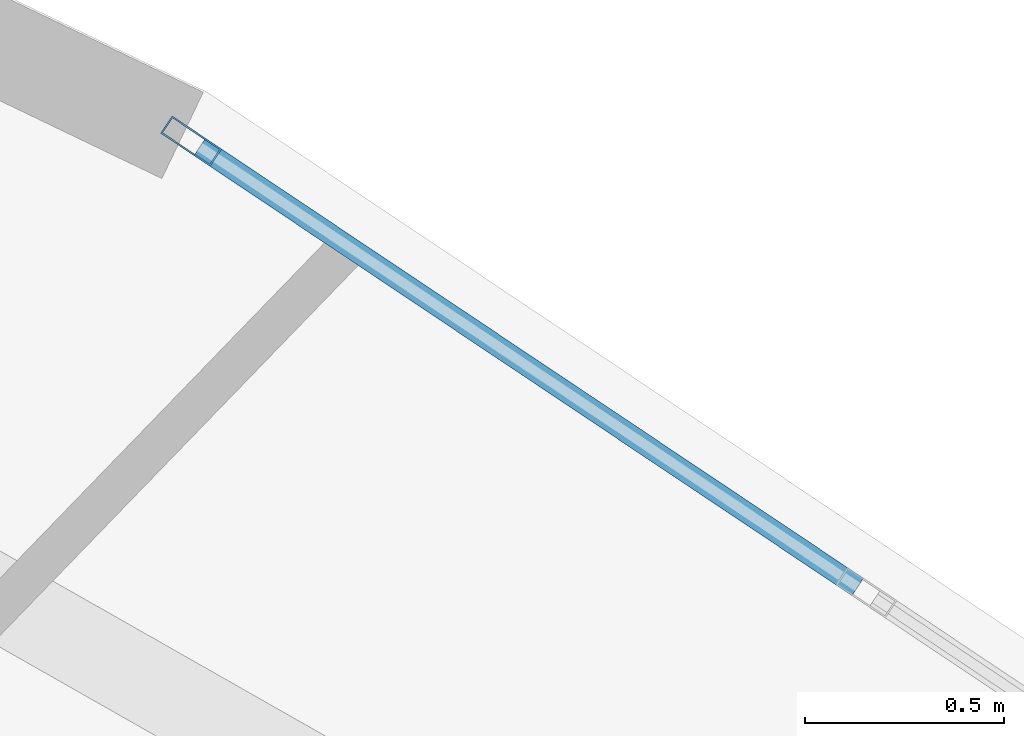
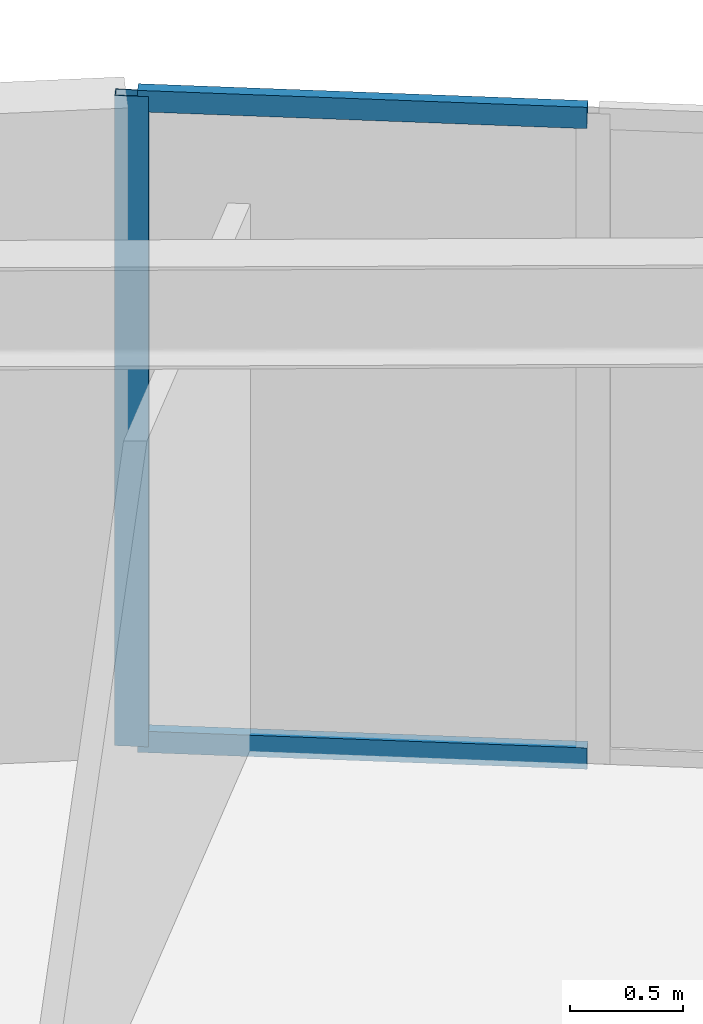
# One storey, part 6 of 21: 3 members, 1 element without a shape of its own.
"""IFC4 building model written with IfcOpenShell, lengths in metres."""

from ifc_helpers import new_model, si_unit, direction, frame, origin, origin_2d, place, context, subcontext, project, spatial, hollow_rectangle, extrude, source, transform, mapped, material, layer, layer_set, material_profile, profile_set, type_object, element, aggregate, save


model = new_model("IFC4")

# Units and contexts
model_context = context("Model", 3, precision=1e-05, world=origin(), true_north=direction((0.0, 1.0)))
body_context = subcontext(model_context, "Body", "Model", "MODEL_VIEW")
ifc_project = project(units=[si_unit("LENGTHUNIT", "METRE"), si_unit("AREAUNIT", "SQUARE_METRE"), si_unit("VOLUMEUNIT", "CUBIC_METRE"), si_unit("PLANEANGLEUNIT", "RADIAN"), si_unit("MASSUNIT", "GRAM", prefix="KILO")], contexts=[model_context])

# Site, building, storey
site_placement = place(None, origin())
site = spatial("IfcSite", under=ifc_project, at=site_placement, CompositionType="ELEMENT")
building_placement = place(site_placement, origin())
building = spatial("IfcBuilding", under=site, at=building_placement, Name="Linh Dai School and Residence Tower", CompositionType="ELEMENT")
storey_placement = place(building_placement, frame((0.0, 0.0, 134.699951171875)))
storey = spatial("IfcBuildingStorey", under=building, at=storey_placement, Name="L32", CompositionType="ELEMENT", Elevation=134.699951171875)

# Curtain wall, members
ifc_material_1 = material(Name="Aluminium Anodised Curtain Wall", Category="aluminium")
ifc_layer = layer(ifc_material_1, 0.14990234375)
ifc_layer_set = layer_set([ifc_layer], Name="Aluminium Anodised Curtain Wall")
curtain_wall_type = type_object("IfcCurtainWallType", Name="CW-SYS-4", PredefinedType="USERDEFINED", material=ifc_layer_set)
curtain_wall_placement = place(storey_placement, origin())
curtain_wall = element("IfcCurtainWall", 1, at=curtain_wall_placement, inside=storey, type_object=curtain_wall_type, Name="L32 CW4 Curtain Wall 06", ObjectType="RIBBON CURTAIN WALL", PredefinedType="USERDEFINED")
ifc_material_2 = material(Name="Aluminium Alloy 6063-T6", Category="aluminium")
ifc_material_profile_1 = material_profile(ifc_material_2, hollow_rectangle(XDim=0.052001953125, YDim=0.14990234375, WallThickness=0.00390625, at=origin_2d()), Name="RHS 150x52x4")
ifc_profile_set_1 = profile_set([ifc_material_profile_1], Name="Aluminium Alloy 6063-T6")
member_type_1 = type_object("IfcMemberType", Name="CW-SYS-4-MUL", PredefinedType="MULLION", material=ifc_profile_set_1)
shared_shape_1 = source(origin(), body_context, "Body", "SweptSolid", [
    extrude(hollow_rectangle(XDim=0.052001953125, YDim=0.14990234375, WallThickness=0.00390625, at=origin_2d()), origin(), (0.0, 0.0, 1.0), 3.5),
])
member_1_placement = place(storey_placement, frame((52.94677734375, 45.18505859375, 0.0), z_axis=(0.0, 0.0, 1.0), x_axis=(0.555913198527, 0.831240347736, 0.0)))
member_1 = element("IfcMember", 2, at=member_1_placement, type_object=member_type_1, Name="CW4 mullion 1", PredefinedType="MULLION", context=body_context, shape_type="MappedRepresentation", body=[
    mapped(shared_shape_1, transform((0.0, 0.0, 0.0), x_axis=(1.0, 0.0, 0.0), y_axis=(0.0, 1.0, 0.0), z_axis=(0.0, 0.0, 1.0), scale=1.0)),
])
ifc_material_profile_2 = material_profile(ifc_material_2, hollow_rectangle(XDim=0.052001953125, YDim=0.114990234375, WallThickness=0.00390625, at=origin_2d()), Name="RHS 115x52x4")
ifc_profile_set_2 = profile_set([ifc_material_profile_2], Name="Aluminium Alloy 6063-T6")
member_type_2 = type_object("IfcMemberType", Name="CW-SYS-4-TRN", PredefinedType="USERDEFINED", material=ifc_profile_set_2)
shared_shape_2 = source(origin(), body_context, "Body", "SweptSolid", [
    extrude(hollow_rectangle(XDim=0.052001953125, YDim=0.114990234375, WallThickness=0.00390625, at=origin_2d()), origin(), (0.0, 0.0, 1.0), 1.98681640625),
])
member_2_placement = place(storey_placement, frame((52.968505859375, 45.17041015625, 0.026123046875), z_axis=(0.831255474642, -0.555890579051, 0.0), x_axis=(0.555890579051, 0.831255474642, 0.0)))
member_2 = element("IfcMember", 3, at=member_2_placement, type_object=member_type_2, Name="CW4 transom 1.1", ObjectType="TRANSOM", PredefinedType="USERDEFINED", context=body_context, shape_type="MappedRepresentation", body=[
    mapped(shared_shape_2, transform((0.0, 0.0, 0.0), x_axis=(1.0, 0.0, 0.0), y_axis=(0.0, 1.0, 0.0), z_axis=(0.0, 0.0, 1.0), scale=1.0)),
])
member_3_placement = place(storey_placement, frame((52.968505859375, 45.17041015625, 3.47412109375), z_axis=(0.831255474642, -0.555890579051, 0.0), x_axis=(0.555890579051, 0.831255474642, 0.0)))
member_3 = element("IfcMember", 4, at=member_3_placement, type_object=member_type_2, Name="CW4 transom 1.2", ObjectType="TRANSOM", PredefinedType="USERDEFINED", context=body_context, shape_type="MappedRepresentation", body=[
    mapped(shared_shape_2, transform((0.0, 0.0, 0.0), x_axis=(1.0, 0.0, 0.0), y_axis=(0.0, 1.0, 0.0), z_axis=(0.0, 0.0, 1.0), scale=1.0)),
])
aggregate(curtain_wall, [member_1, member_2, member_3])

save(model, "model.ifc")
